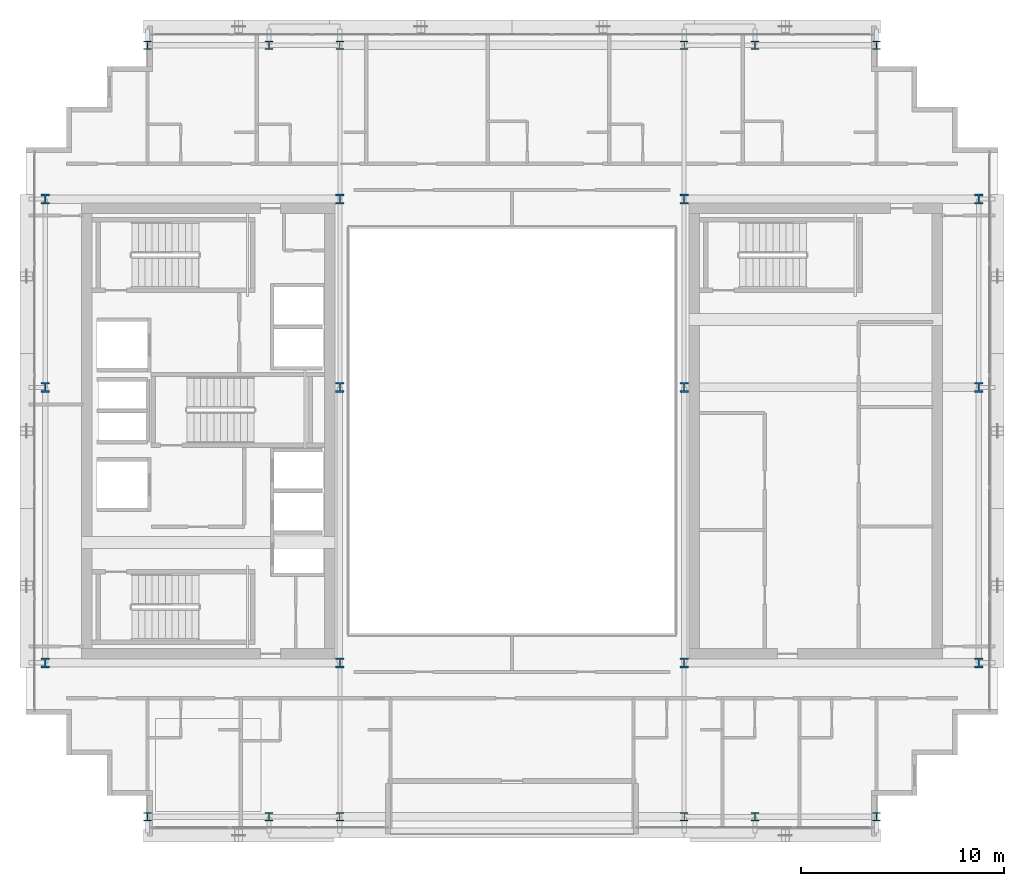
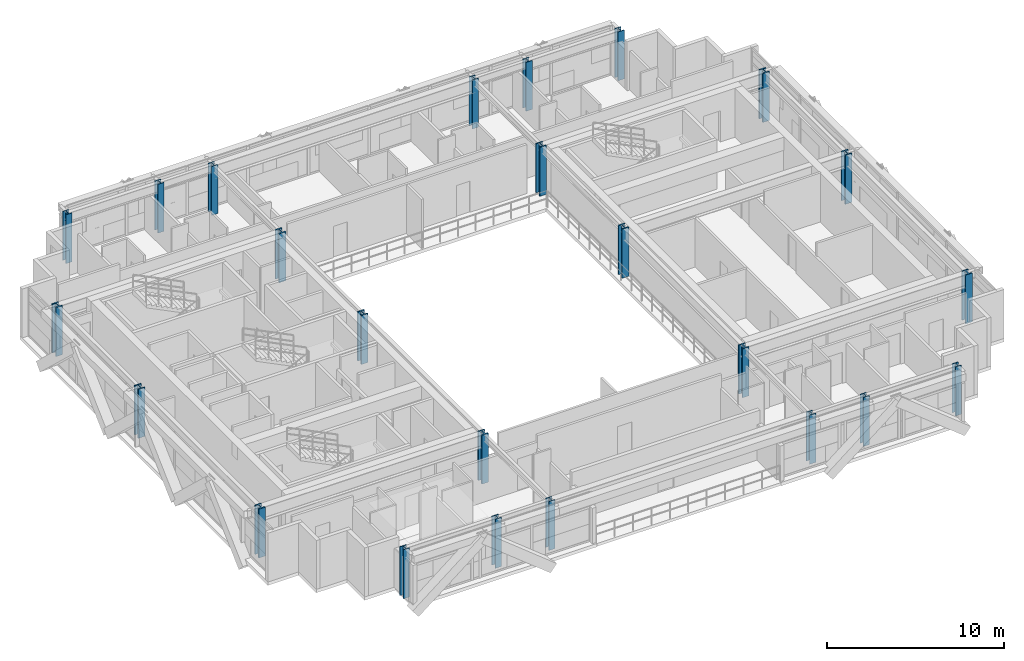
# One storey, part 1 of 31: 24 columns.
"""IFC4 building model written with IfcOpenShell, lengths in metres."""

from ifc_helpers import new_model, si_unit, direction, frame, origin, origin_2d, place, context, subcontext, project, spatial, i_section, extrude, source, transform, mapped, material, material_profile, profile_set, type_object, element, save


model = new_model("IFC4")

# Units and contexts
model_context = context("Model", 3, precision=1e-05, world=origin(), true_north=direction((0.0, 1.0)))
body_context = subcontext(model_context, "Body", "Model", "MODEL_VIEW")
ifc_project = project(units=[si_unit("LENGTHUNIT", "METRE"), si_unit("AREAUNIT", "SQUARE_METRE"), si_unit("VOLUMEUNIT", "CUBIC_METRE"), si_unit("PLANEANGLEUNIT", "RADIAN"), si_unit("MASSUNIT", "GRAM", prefix="KILO")], contexts=[model_context])

# Site, building, storey
site_placement = place(None, origin())
site = spatial("IfcSite", under=ifc_project, at=site_placement, CompositionType="ELEMENT")
building_placement = place(site_placement, origin())
building = spatial("IfcBuilding", under=site, at=building_placement, Name="Ocotamira Hotel", CompositionType="ELEMENT")
storey_placement = place(building_placement, frame((0.0, 0.0, 210.0)))
storey = spatial("IfcBuildingStorey", under=building, at=storey_placement, Name="L53", CompositionType="ELEMENT", Elevation=210.0)

# Columns
ifc_material = material(Name="Steel ASTM A913 Grade 65", Category="steel")
ifc_material_profile_1 = material_profile(ifc_material, i_section(OverallWidth=0.431884765625, OverallDepth=0.498046875, WebThickness=0.0556640625, FlangeThickness=0.0888671875, FilletRadius=0.02490234375, at=origin_2d()), Name="W14X500")
ifc_profile_set_1 = profile_set([ifc_material_profile_1], Name="Steel ASTM A913 Grade 65")
column_type_1 = type_object("IfcColumnType", Name="COL-W14X500", PredefinedType="COLUMN", material=ifc_profile_set_1)
shared_shape_1 = source(origin(), body_context, "Body", "SweptSolid", [
    extrude(i_section(OverallWidth=0.431884765625, OverallDepth=0.498046875, WebThickness=0.0556640625, FlangeThickness=0.0888671875, FilletRadius=0.02490234375, at=origin_2d()), origin(), (0.0, 0.0, 1.0), 3.3701171875),
])
for number, where, z_axis, x_axis, name in (
    (1, (8.949951171875, 14.550048828125, 0.0), (0.0, 0.0, 1.0), (1.0, 0.0, 0.0), "L53 Column TW8_14"),
    (2, (23.5, 14.550048828125, 0.0), (0.0, 0.0, 1.0), (1.0, 0.0, 0.0), "L53 Column TW23_14"),
    (3, (40.5, 14.550048828125, 0.0), (0.0, 0.0, 1.0), (1.0, 0.0, 0.0), "L53 Column TE40_14"),
    (4, (55.050048828125, 14.550048828125, 0.0), (0.0, 0.0, 1.0), (1.0, 0.0, 0.0), "L53 Column TE55_14"),
    (5, (8.949951171875, 28.14990234375, 0.0), (0.0, 0.0, 1.0), (1.0, 0.0, 0.0), "L53 Column TW8_28"),
    (6, (23.5, 28.14990234375, 0.0), (0.0, 0.0, 1.0), (1.0, 0.0, 0.0), "L53 Column TW23_28"),
    (7, (40.5, 28.14990234375, 0.0), (0.0, 0.0, 1.0), (1.0, 0.0, 0.0), "L53 Column TE40_28"),
    (8, (55.050048828125, 28.14990234375, 0.0), (0.0, 0.0, 1.0), (1.0, 0.0, 0.0), "L53 Column TE55_28"),
    (9, (8.949951171875, 37.449951171875, 0.0), (0.0, 0.0, 1.0), (1.0, 0.0, 0.0), "L53 Column TW8_37"),
    (10, (23.5, 37.449951171875, 0.0), (0.0, 0.0, 1.0), (1.0, 0.0, 0.0), "L53 Column TW23_37"),
    (11, (40.5, 37.449951171875, 0.0), (0.0, 0.0, 1.0), (1.0, 0.0, 0.0), "L53 Column TE40_37"),
    (12, (55.050048828125, 37.449951171875, 0.0), (0.0, 0.0, 1.0), (1.0, 0.0, 0.0), "L53 Column TE55_37"),
):
    element("IfcColumn", number, at=place(storey_placement, frame(where, z_axis=z_axis, x_axis=x_axis)), inside=storey, type_object=column_type_1, Name=name, PredefinedType="COLUMN", context=body_context, shape_type="MappedRepresentation", body=[
        mapped(shared_shape_1, transform((0.0, 0.0, 0.0), scale=1.0)),
    ])
ifc_material_profile_2 = material_profile(ifc_material, i_section(OverallWidth=0.404052734375, OverallDepth=0.406982421875, WebThickness=0.027099609375, FlangeThickness=0.043701171875, FilletRadius=0.02490234375, at=origin_2d()), Name="W14X233")
ifc_profile_set_2 = profile_set([ifc_material_profile_2], Name="Steel ASTM A913 Grade 65")
column_type_2 = type_object("IfcColumnType", Name="COL-W14X233", PredefinedType="COLUMN", material=ifc_profile_set_2)
shared_shape_2 = source(origin(), body_context, "Body", "SweptSolid", [
    extrude(i_section(OverallWidth=0.404052734375, OverallDepth=0.406982421875, WebThickness=0.027099609375, FlangeThickness=0.043701171875, FilletRadius=0.02490234375, at=origin_2d()), origin(), (0.0, 0.0, 1.0), 3.3701171875),
])
for number, where, z_axis, x_axis, name in (
    (13, (14.0, 6.949951171875, 0.0), (0.0, 0.0, 1.0), (1.0, 0.0, 0.0), "L53 Column NSP1_14"),
    (14, (20.0, 6.949951171875, 0.0), (0.0, 0.0, 1.0), (1.0, 0.0, 0.0), "L53 Column NSP1_20"),
    (15, (23.5, 6.949951171875, 0.0), (0.0, 0.0, 1.0), (1.0, 0.0, 0.0), "L53 Column NSP1_23"),
    (16, (40.5, 6.949951171875, 0.0), (0.0, 0.0, 1.0), (1.0, 0.0, 0.0), "L53 Column NSP1_40"),
    (17, (44.0, 6.949951171875, 0.0), (0.0, 0.0, 1.0), (1.0, 0.0, 0.0), "L53 Column NSP1_44"),
    (18, (50.0, 6.949951171875, 0.0), (0.0, 0.0, 1.0), (1.0, 0.0, 0.0), "L53 Column NSP1_50"),
    (19, (14.0, 45.050048828125, 0.0), (0.0, 0.0, 1.0), (1.0, 0.0, 0.0), "L53 Column NSP2_14"),
    (20, (20.0, 45.050048828125, 0.0), (0.0, 0.0, 1.0), (1.0, 0.0, 0.0), "L53 Column NSP2_20"),
    (21, (23.5, 45.050048828125, 0.0), (0.0, 0.0, 1.0), (1.0, 0.0, 0.0), "L53 Column NSP2_23"),
    (22, (40.5, 45.050048828125, 0.0), (0.0, 0.0, 1.0), (1.0, 0.0, 0.0), "L53 Column NSP2_40"),
    (23, (44.0, 45.050048828125, 0.0), (0.0, 0.0, 1.0), (1.0, 0.0, 0.0), "L53 Column NSP2_44"),
    (24, (50.0, 45.050048828125, 0.0), (0.0, 0.0, 1.0), (1.0, 0.0, 0.0), "L53 Column NSP2_50"),
):
    element("IfcColumn", number, at=place(storey_placement, frame(where, z_axis=z_axis, x_axis=x_axis)), inside=storey, type_object=column_type_2, Name=name, PredefinedType="COLUMN", context=body_context, shape_type="MappedRepresentation", body=[
        mapped(shared_shape_2, transform((0.0, 0.0, 0.0), scale=1.0)),
    ])

save(model, "model.ifc")
